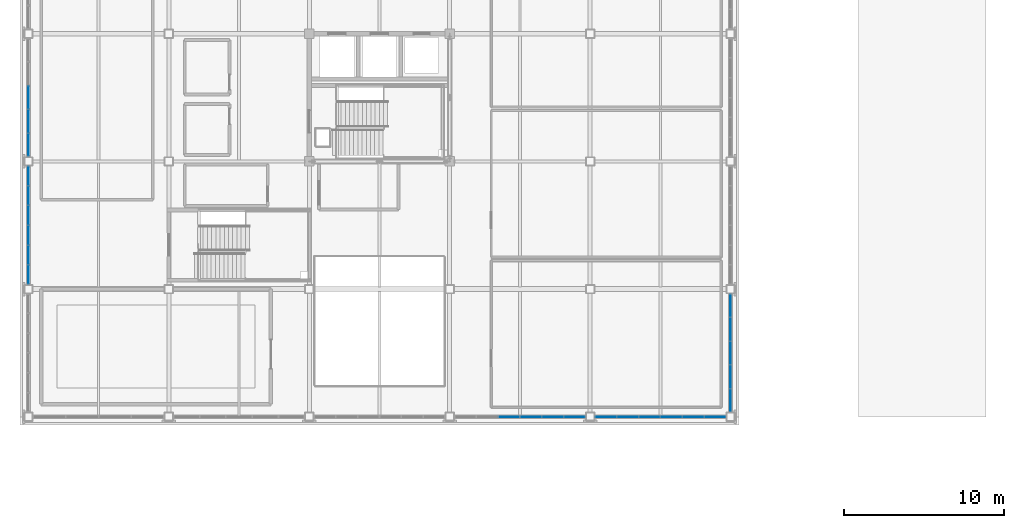
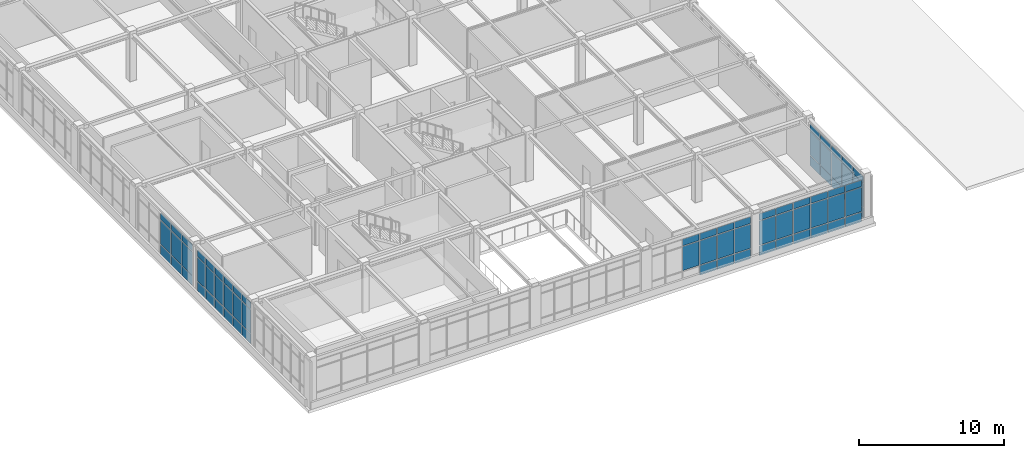
# One storey, part 39 of 88: 71 plates, 5 elements without a shape of their own.
"""IFC4 building model written with IfcOpenShell, lengths in metres."""

from ifc_helpers import new_model, si_unit, direction, frame, origin, origin_2d, place, context, subcontext, project, spatial, rectangle, extrude, material, layer, layer_set, type_object, element, aggregate, save


model = new_model("IFC4")

# Units and contexts
model_context = context("Model", 3, precision=1e-05, world=origin(), true_north=direction((0.0, 1.0)))
body_context = subcontext(model_context, "Body", "Model", "MODEL_VIEW")
ifc_project = project(units=[si_unit("LENGTHUNIT", "METRE"), si_unit("AREAUNIT", "SQUARE_METRE"), si_unit("VOLUMEUNIT", "CUBIC_METRE"), si_unit("PLANEANGLEUNIT", "RADIAN"), si_unit("MASSUNIT", "GRAM", prefix="KILO")], contexts=[model_context])

# Site, building, storey
site_placement = place(None, origin())
site = spatial("IfcSite", under=ifc_project, at=site_placement, CompositionType="ELEMENT")
building_placement = place(site_placement, origin())
building = spatial("IfcBuilding", under=site, at=building_placement, Name="Zhaolan Boulevard Law Courts", CompositionType="ELEMENT")
storey_placement = place(building_placement, frame((0.0, 0.0, 16.199951171875)))
storey = spatial("IfcBuildingStorey", under=building, at=storey_placement, Name="L03", CompositionType="ELEMENT", Elevation=16.199951171875)

# Curtain wall, plates
ifc_material_1 = material(Name="Thermally broken aluminium and low-E glazing", Category="aluminium")
curtain_wall_type_1 = type_object("IfcCurtainWallType", Name="CURTAIN WALL M3", PredefinedType="USERDEFINED", material=ifc_material_1)
curtain_wall_1_placement = place(storey_placement, origin())
curtain_wall_1 = element("IfcCurtainWall", 1, at=curtain_wall_1_placement, inside=storey, type_object=curtain_wall_type_1, Name="Curtain Wall CW-L03-171", ObjectType="CURTAIN WALL", PredefinedType="USERDEFINED")
ifc_material_2 = material(Name="Triple-silver low-E insulated glazing", Category="glass")
ifc_layer = layer(ifc_material_2, 0.028076171875)
ifc_layer_set = layer_set([ifc_layer])
plate_type = type_object("IfcPlateType", Name="CWPANEL LOW E28", PredefinedType="CURTAIN_PANEL", material=ifc_layer_set)
plate_1_placement = place(storey_placement, frame((30.11279296875, 30.0, 0.9326171875), z_axis=(0.0, 0.0, 1.0), x_axis=(1.0, 0.0, 0.0)))
plate_1 = element("IfcPlate", 2, at=plate_1_placement, type_object=plate_type, Name="CW-L03-171 panel 3.2", PredefinedType="CURTAIN_PANEL", context=body_context, shape_type="SweptSolid", body=[
    extrude(rectangle(XDim=1.309326171875, YDim=0.028076171875, at=origin_2d()), origin(), (0.0, 0.0, 1.0), 2.01806640625),
])
plate_2_placement = place(storey_placement, frame((30.11279296875, 30.0, 3.015625), z_axis=(0.0, 0.0, 1.0), x_axis=(1.0, 0.0, 0.0)))
plate_2 = element("IfcPlate", 3, at=plate_2_placement, type_object=plate_type, Name="CW-L03-171 panel 3.3", PredefinedType="CURTAIN_PANEL", context=body_context, shape_type="SweptSolid", body=[
    extrude(rectangle(XDim=1.309326171875, YDim=0.028076171875, at=origin_2d()), origin(), (0.0, 0.0, 1.0), 0.552490234375),
])
plate_3_placement = place(storey_placement, frame((31.487060546875, 30.0, 0.06494140625), z_axis=(0.0, 0.0, 1.0), x_axis=(1.0, 0.0, 0.0)))
plate_3 = element("IfcPlate", 4, at=plate_3_placement, type_object=plate_type, Name="CW-L03-171 panel 4.1", PredefinedType="CURTAIN_PANEL", context=body_context, shape_type="SweptSolid", body=[
    extrude(rectangle(XDim=1.309326171875, YDim=0.028076171875, at=origin_2d()), origin(), (0.0, 0.0, 1.0), 0.802490234375),
])
plate_4_placement = place(storey_placement, frame((31.487060546875, 30.0, 0.9326171875), z_axis=(0.0, 0.0, 1.0), x_axis=(1.0, 0.0, 0.0)))
plate_4 = element("IfcPlate", 5, at=plate_4_placement, type_object=plate_type, Name="CW-L03-171 panel 4.2", PredefinedType="CURTAIN_PANEL", context=body_context, shape_type="SweptSolid", body=[
    extrude(rectangle(XDim=1.309326171875, YDim=0.028076171875, at=origin_2d()), origin(), (0.0, 0.0, 1.0), 2.01806640625),
])
plate_5_placement = place(storey_placement, frame((31.487060546875, 30.0, 3.015625), z_axis=(0.0, 0.0, 1.0), x_axis=(1.0, 0.0, 0.0)))
plate_5 = element("IfcPlate", 6, at=plate_5_placement, type_object=plate_type, Name="CW-L03-171 panel 4.3", PredefinedType="CURTAIN_PANEL", context=body_context, shape_type="SweptSolid", body=[
    extrude(rectangle(XDim=1.309326171875, YDim=0.028076171875, at=origin_2d()), origin(), (0.0, 0.0, 1.0), 0.552490234375),
])
plate_6_placement = place(storey_placement, frame((32.861572265625, 30.0, 0.06494140625), z_axis=(0.0, 0.0, 1.0), x_axis=(1.0, 0.0, 0.0)))
plate_6 = element("IfcPlate", 7, at=plate_6_placement, type_object=plate_type, Name="CW-L03-171 panel 5.1", PredefinedType="CURTAIN_PANEL", context=body_context, shape_type="SweptSolid", body=[
    extrude(rectangle(XDim=1.309326171875, YDim=0.028076171875, at=origin_2d()), origin(), (0.0, 0.0, 1.0), 0.802490234375),
])
plate_7_placement = place(storey_placement, frame((32.861572265625, 30.0, 0.9326171875), z_axis=(0.0, 0.0, 1.0), x_axis=(1.0, 0.0, 0.0)))
plate_7 = element("IfcPlate", 8, at=plate_7_placement, type_object=plate_type, Name="CW-L03-171 panel 5.2", PredefinedType="CURTAIN_PANEL", context=body_context, shape_type="SweptSolid", body=[
    extrude(rectangle(XDim=1.309326171875, YDim=0.028076171875, at=origin_2d()), origin(), (0.0, 0.0, 1.0), 2.01806640625),
])
plate_8_placement = place(storey_placement, frame((32.861572265625, 30.0, 3.015625), z_axis=(0.0, 0.0, 1.0), x_axis=(1.0, 0.0, 0.0)))
plate_8 = element("IfcPlate", 9, at=plate_8_placement, type_object=plate_type, Name="CW-L03-171 panel 5.3", PredefinedType="CURTAIN_PANEL", context=body_context, shape_type="SweptSolid", body=[
    extrude(rectangle(XDim=1.309326171875, YDim=0.028076171875, at=origin_2d()), origin(), (0.0, 0.0, 1.0), 0.552490234375),
])
plate_9_placement = place(storey_placement, frame((34.219482421875, 30.0, 0.06494140625), z_axis=(0.0, 0.0, 1.0), x_axis=(1.0, 0.0, 0.0)))
plate_9 = element("IfcPlate", 10, at=plate_9_placement, type_object=plate_type, Name="CW-L03-171 panel 6.1", PredefinedType="CURTAIN_PANEL", context=body_context, shape_type="SweptSolid", body=[
    extrude(rectangle(XDim=1.27685546875, YDim=0.028076171875, at=origin_2d()), origin(), (0.0, 0.0, 1.0), 0.802490234375),
])
plate_10_placement = place(storey_placement, frame((34.219482421875, 30.0, 0.9326171875), z_axis=(0.0, 0.0, 1.0), x_axis=(1.0, 0.0, 0.0)))
plate_10 = element("IfcPlate", 11, at=plate_10_placement, type_object=plate_type, Name="CW-L03-171 panel 6.2", PredefinedType="CURTAIN_PANEL", context=body_context, shape_type="SweptSolid", body=[
    extrude(rectangle(XDim=1.27685546875, YDim=0.028076171875, at=origin_2d()), origin(), (0.0, 0.0, 1.0), 2.01806640625),
])
plate_11_placement = place(storey_placement, frame((34.219482421875, 30.0, 3.015625), z_axis=(0.0, 0.0, 1.0), x_axis=(1.0, 0.0, 0.0)))
plate_11 = element("IfcPlate", 12, at=plate_11_placement, type_object=plate_type, Name="CW-L03-171 panel 6.3", PredefinedType="CURTAIN_PANEL", context=body_context, shape_type="SweptSolid", body=[
    extrude(rectangle(XDim=1.27685546875, YDim=0.028076171875, at=origin_2d()), origin(), (0.0, 0.0, 1.0), 0.552490234375),
])
aggregate(curtain_wall_1, [plate_1, plate_2, plate_3, plate_4, plate_5, plate_6, plate_7, plate_8, plate_9, plate_10, plate_11])

ifc_material_3 = material(Name="Thermally broken aluminium and low-E glazing", Category="aluminium")
curtain_wall_type_2 = type_object("IfcCurtainWallType", Name="CURTAIN WALL M4", PredefinedType="USERDEFINED", material=ifc_material_3)
curtain_wall_2_placement = place(storey_placement, origin())
curtain_wall_2 = element("IfcCurtainWall", 13, at=curtain_wall_2_placement, inside=storey, type_object=curtain_wall_type_2, Name="Curtain Wall CW-L03-172", ObjectType="CURTAIN WALL", PredefinedType="USERDEFINED")
plate_12_placement = place(storey_placement, frame((36.180419921875, 30.0, 0.06494140625), z_axis=(0.0, 0.0, 1.0), x_axis=(1.0, 0.0, 0.0)))
plate_12 = element("IfcPlate", 14, at=plate_12_placement, type_object=plate_type, Name="CW-L03-172 panel 1.1", PredefinedType="CURTAIN_PANEL", context=body_context, shape_type="SweptSolid", body=[
    extrude(rectangle(XDim=1.27685546875, YDim=0.028076171875, at=origin_2d()), origin(), (0.0, 0.0, 1.0), 0.802490234375),
])
plate_13_placement = place(storey_placement, frame((36.180419921875, 30.0, 0.9326171875), z_axis=(0.0, 0.0, 1.0), x_axis=(1.0, 0.0, 0.0)))
plate_13 = element("IfcPlate", 15, at=plate_13_placement, type_object=plate_type, Name="CW-L03-172 panel 1.2", PredefinedType="CURTAIN_PANEL", context=body_context, shape_type="SweptSolid", body=[
    extrude(rectangle(XDim=1.27685546875, YDim=0.028076171875, at=origin_2d()), origin(), (0.0, 0.0, 1.0), 2.01806640625),
])
plate_14_placement = place(storey_placement, frame((36.180419921875, 30.0, 3.015625), z_axis=(0.0, 0.0, 1.0), x_axis=(1.0, 0.0, 0.0)))
plate_14 = element("IfcPlate", 16, at=plate_14_placement, type_object=plate_type, Name="CW-L03-172 panel 1.3", PredefinedType="CURTAIN_PANEL", context=body_context, shape_type="SweptSolid", body=[
    extrude(rectangle(XDim=1.27685546875, YDim=0.028076171875, at=origin_2d()), origin(), (0.0, 0.0, 1.0), 0.552490234375),
])
plate_15_placement = place(storey_placement, frame((37.53857421875, 30.0, 0.06494140625), z_axis=(0.0, 0.0, 1.0), x_axis=(1.0, 0.0, 0.0)))
plate_15 = element("IfcPlate", 17, at=plate_15_placement, type_object=plate_type, Name="CW-L03-172 panel 2.1", PredefinedType="CURTAIN_PANEL", context=body_context, shape_type="SweptSolid", body=[
    extrude(rectangle(XDim=1.309326171875, YDim=0.028076171875, at=origin_2d()), origin(), (0.0, 0.0, 1.0), 0.802490234375),
])
plate_16_placement = place(storey_placement, frame((37.53857421875, 30.0, 0.9326171875), z_axis=(0.0, 0.0, 1.0), x_axis=(1.0, 0.0, 0.0)))
plate_16 = element("IfcPlate", 18, at=plate_16_placement, type_object=plate_type, Name="CW-L03-172 panel 2.2", PredefinedType="CURTAIN_PANEL", context=body_context, shape_type="SweptSolid", body=[
    extrude(rectangle(XDim=1.309326171875, YDim=0.028076171875, at=origin_2d()), origin(), (0.0, 0.0, 1.0), 2.01806640625),
])
plate_17_placement = place(storey_placement, frame((37.53857421875, 30.0, 3.015625), z_axis=(0.0, 0.0, 1.0), x_axis=(1.0, 0.0, 0.0)))
plate_17 = element("IfcPlate", 19, at=plate_17_placement, type_object=plate_type, Name="CW-L03-172 panel 2.3", PredefinedType="CURTAIN_PANEL", context=body_context, shape_type="SweptSolid", body=[
    extrude(rectangle(XDim=1.309326171875, YDim=0.028076171875, at=origin_2d()), origin(), (0.0, 0.0, 1.0), 0.552490234375),
])
plate_18_placement = place(storey_placement, frame((38.912841796875, 30.0, 0.06494140625), z_axis=(0.0, 0.0, 1.0), x_axis=(1.0, 0.0, 0.0)))
plate_18 = element("IfcPlate", 20, at=plate_18_placement, type_object=plate_type, Name="CW-L03-172 panel 3.1", PredefinedType="CURTAIN_PANEL", context=body_context, shape_type="SweptSolid", body=[
    extrude(rectangle(XDim=1.309326171875, YDim=0.028076171875, at=origin_2d()), origin(), (0.0, 0.0, 1.0), 0.802490234375),
])
plate_19_placement = place(storey_placement, frame((38.912841796875, 30.0, 0.9326171875), z_axis=(0.0, 0.0, 1.0), x_axis=(1.0, 0.0, 0.0)))
plate_19 = element("IfcPlate", 21, at=plate_19_placement, type_object=plate_type, Name="CW-L03-172 panel 3.2", PredefinedType="CURTAIN_PANEL", context=body_context, shape_type="SweptSolid", body=[
    extrude(rectangle(XDim=1.309326171875, YDim=0.028076171875, at=origin_2d()), origin(), (0.0, 0.0, 1.0), 2.01806640625),
])
plate_20_placement = place(storey_placement, frame((38.912841796875, 30.0, 3.015625), z_axis=(0.0, 0.0, 1.0), x_axis=(1.0, 0.0, 0.0)))
plate_20 = element("IfcPlate", 22, at=plate_20_placement, type_object=plate_type, Name="CW-L03-172 panel 3.3", PredefinedType="CURTAIN_PANEL", context=body_context, shape_type="SweptSolid", body=[
    extrude(rectangle(XDim=1.309326171875, YDim=0.028076171875, at=origin_2d()), origin(), (0.0, 0.0, 1.0), 0.552490234375),
])
plate_21_placement = place(storey_placement, frame((40.287109375, 30.0, 0.06494140625), z_axis=(0.0, 0.0, 1.0), x_axis=(1.0, 0.0, 0.0)))
plate_21 = element("IfcPlate", 23, at=plate_21_placement, type_object=plate_type, Name="CW-L03-172 panel 4.1", PredefinedType="CURTAIN_PANEL", context=body_context, shape_type="SweptSolid", body=[
    extrude(rectangle(XDim=1.309326171875, YDim=0.028076171875, at=origin_2d()), origin(), (0.0, 0.0, 1.0), 0.802490234375),
])
plate_22_placement = place(storey_placement, frame((40.287109375, 30.0, 0.9326171875), z_axis=(0.0, 0.0, 1.0), x_axis=(1.0, 0.0, 0.0)))
plate_22 = element("IfcPlate", 24, at=plate_22_placement, type_object=plate_type, Name="CW-L03-172 panel 4.2", PredefinedType="CURTAIN_PANEL", context=body_context, shape_type="SweptSolid", body=[
    extrude(rectangle(XDim=1.309326171875, YDim=0.028076171875, at=origin_2d()), origin(), (0.0, 0.0, 1.0), 2.01806640625),
])
plate_23_placement = place(storey_placement, frame((40.287109375, 30.0, 3.015625), z_axis=(0.0, 0.0, 1.0), x_axis=(1.0, 0.0, 0.0)))
plate_23 = element("IfcPlate", 25, at=plate_23_placement, type_object=plate_type, Name="CW-L03-172 panel 4.3", PredefinedType="CURTAIN_PANEL", context=body_context, shape_type="SweptSolid", body=[
    extrude(rectangle(XDim=1.309326171875, YDim=0.028076171875, at=origin_2d()), origin(), (0.0, 0.0, 1.0), 0.552490234375),
])
plate_24_placement = place(storey_placement, frame((41.66162109375, 30.0, 0.06494140625), z_axis=(0.0, 0.0, 1.0), x_axis=(1.0, 0.0, 0.0)))
plate_24 = element("IfcPlate", 26, at=plate_24_placement, type_object=plate_type, Name="CW-L03-172 panel 5.1", PredefinedType="CURTAIN_PANEL", context=body_context, shape_type="SweptSolid", body=[
    extrude(rectangle(XDim=1.309326171875, YDim=0.028076171875, at=origin_2d()), origin(), (0.0, 0.0, 1.0), 0.802490234375),
])
plate_25_placement = place(storey_placement, frame((41.66162109375, 30.0, 0.9326171875), z_axis=(0.0, 0.0, 1.0), x_axis=(1.0, 0.0, 0.0)))
plate_25 = element("IfcPlate", 27, at=plate_25_placement, type_object=plate_type, Name="CW-L03-172 panel 5.2", PredefinedType="CURTAIN_PANEL", context=body_context, shape_type="SweptSolid", body=[
    extrude(rectangle(XDim=1.309326171875, YDim=0.028076171875, at=origin_2d()), origin(), (0.0, 0.0, 1.0), 2.01806640625),
])
plate_26_placement = place(storey_placement, frame((41.66162109375, 30.0, 3.015625), z_axis=(0.0, 0.0, 1.0), x_axis=(1.0, 0.0, 0.0)))
plate_26 = element("IfcPlate", 28, at=plate_26_placement, type_object=plate_type, Name="CW-L03-172 panel 5.3", PredefinedType="CURTAIN_PANEL", context=body_context, shape_type="SweptSolid", body=[
    extrude(rectangle(XDim=1.309326171875, YDim=0.028076171875, at=origin_2d()), origin(), (0.0, 0.0, 1.0), 0.552490234375),
])
plate_27_placement = place(storey_placement, frame((43.01953125, 30.0, 0.06494140625), z_axis=(0.0, 0.0, 1.0), x_axis=(1.0, 0.0, 0.0)))
plate_27 = element("IfcPlate", 29, at=plate_27_placement, type_object=plate_type, Name="CW-L03-172 panel 6.1", PredefinedType="CURTAIN_PANEL", context=body_context, shape_type="SweptSolid", body=[
    extrude(rectangle(XDim=1.27685546875, YDim=0.028076171875, at=origin_2d()), origin(), (0.0, 0.0, 1.0), 0.802490234375),
])
plate_28_placement = place(storey_placement, frame((43.01953125, 30.0, 0.9326171875), z_axis=(0.0, 0.0, 1.0), x_axis=(1.0, 0.0, 0.0)))
plate_28 = element("IfcPlate", 30, at=plate_28_placement, type_object=plate_type, Name="CW-L03-172 panel 6.2", PredefinedType="CURTAIN_PANEL", context=body_context, shape_type="SweptSolid", body=[
    extrude(rectangle(XDim=1.27685546875, YDim=0.028076171875, at=origin_2d()), origin(), (0.0, 0.0, 1.0), 2.01806640625),
])
plate_29_placement = place(storey_placement, frame((43.01953125, 30.0, 3.015625), z_axis=(0.0, 0.0, 1.0), x_axis=(1.0, 0.0, 0.0)))
plate_29 = element("IfcPlate", 31, at=plate_29_placement, type_object=plate_type, Name="CW-L03-172 panel 6.3", PredefinedType="CURTAIN_PANEL", context=body_context, shape_type="SweptSolid", body=[
    extrude(rectangle(XDim=1.27685546875, YDim=0.028076171875, at=origin_2d()), origin(), (0.0, 0.0, 1.0), 0.552490234375),
])
aggregate(curtain_wall_2, [plate_12, plate_13, plate_14, plate_15, plate_16, plate_17, plate_18, plate_19, plate_20, plate_21, plate_22, plate_23, plate_24, plate_25, plate_26, plate_27, plate_28, plate_29])

ifc_material_4 = material(Name="Thermally broken aluminium and low-E glazing", Category="aluminium")
curtain_wall_type_3 = type_object("IfcCurtainWallType", Name="CURTAIN WALL M6", PredefinedType="USERDEFINED", material=ifc_material_4)
curtain_wall_3_placement = place(storey_placement, origin())
curtain_wall_3 = element("IfcCurtainWall", 32, at=curtain_wall_3_placement, inside=storey, type_object=curtain_wall_type_3, Name="Curtain Wall CW-L03-174", ObjectType="CURTAIN WALL", PredefinedType="USERDEFINED")
plate_30_placement = place(storey_placement, frame((0.0, 45.086181640625, 0.06494140625), z_axis=(0.0, 0.0, 1.0), x_axis=(0.0, -1.0, 0.0)))
plate_30 = element("IfcPlate", 33, at=plate_30_placement, type_object=plate_type, Name="CW-L03-174 panel 1.1", PredefinedType="CURTAIN_PANEL", context=body_context, shape_type="SweptSolid", body=[
    extrude(rectangle(XDim=1.1435546875, YDim=0.028076171875, at=origin_2d()), origin(), (0.0, 0.0, 1.0), 0.802490234375),
])
plate_31_placement = place(storey_placement, frame((0.0, 45.086181640625, 0.9326171875), z_axis=(0.0, 0.0, 1.0), x_axis=(0.0, -1.0, 0.0)))
plate_31 = element("IfcPlate", 34, at=plate_31_placement, type_object=plate_type, Name="CW-L03-174 panel 1.2", PredefinedType="CURTAIN_PANEL", context=body_context, shape_type="SweptSolid", body=[
    extrude(rectangle(XDim=1.1435546875, YDim=0.028076171875, at=origin_2d()), origin(), (0.0, 0.0, 1.0), 1.97802734375),
])
plate_32_placement = place(storey_placement, frame((0.0, 45.086181640625, 2.9755859375), z_axis=(0.0, 0.0, 1.0), x_axis=(0.0, -1.0, 0.0)))
plate_32 = element("IfcPlate", 35, at=plate_32_placement, type_object=plate_type, Name="CW-L03-174 panel 1.3", PredefinedType="CURTAIN_PANEL", context=body_context, shape_type="SweptSolid", body=[
    extrude(rectangle(XDim=1.1435546875, YDim=0.028076171875, at=origin_2d()), origin(), (0.0, 0.0, 1.0), 0.552490234375),
])
plate_33_placement = place(storey_placement, frame((0.0, 43.861572265625, 0.06494140625), z_axis=(0.0, 0.0, 1.0), x_axis=(0.0, -1.0, 0.0)))
plate_33 = element("IfcPlate", 36, at=plate_33_placement, type_object=plate_type, Name="CW-L03-174 panel 2.1", PredefinedType="CURTAIN_PANEL", context=body_context, shape_type="SweptSolid", body=[
    extrude(rectangle(XDim=1.176025390625, YDim=0.028076171875, at=origin_2d()), origin(), (0.0, 0.0, 1.0), 0.802490234375),
])
plate_34_placement = place(storey_placement, frame((0.0, 43.861572265625, 0.9326171875), z_axis=(0.0, 0.0, 1.0), x_axis=(0.0, -1.0, 0.0)))
plate_34 = element("IfcPlate", 37, at=plate_34_placement, type_object=plate_type, Name="CW-L03-174 panel 2.2", PredefinedType="CURTAIN_PANEL", context=body_context, shape_type="SweptSolid", body=[
    extrude(rectangle(XDim=1.176025390625, YDim=0.028076171875, at=origin_2d()), origin(), (0.0, 0.0, 1.0), 1.97802734375),
])
plate_35_placement = place(storey_placement, frame((0.0, 43.861572265625, 2.9755859375), z_axis=(0.0, 0.0, 1.0), x_axis=(0.0, -1.0, 0.0)))
plate_35 = element("IfcPlate", 38, at=plate_35_placement, type_object=plate_type, Name="CW-L03-174 panel 2.3", PredefinedType="CURTAIN_PANEL", context=body_context, shape_type="SweptSolid", body=[
    extrude(rectangle(XDim=1.176025390625, YDim=0.028076171875, at=origin_2d()), origin(), (0.0, 0.0, 1.0), 0.552490234375),
])
plate_36_placement = place(storey_placement, frame((0.0, 42.62060546875, 0.06494140625), z_axis=(0.0, 0.0, 1.0), x_axis=(0.0, -1.0, 0.0)))
plate_36 = element("IfcPlate", 39, at=plate_36_placement, type_object=plate_type, Name="CW-L03-174 panel 3.1", PredefinedType="CURTAIN_PANEL", context=body_context, shape_type="SweptSolid", body=[
    extrude(rectangle(XDim=1.176025390625, YDim=0.028076171875, at=origin_2d()), origin(), (0.0, 0.0, 1.0), 0.802490234375),
])
plate_37_placement = place(storey_placement, frame((0.0, 42.62060546875, 0.9326171875), z_axis=(0.0, 0.0, 1.0), x_axis=(0.0, -1.0, 0.0)))
plate_37 = element("IfcPlate", 40, at=plate_37_placement, type_object=plate_type, Name="CW-L03-174 panel 3.2", PredefinedType="CURTAIN_PANEL", context=body_context, shape_type="SweptSolid", body=[
    extrude(rectangle(XDim=1.176025390625, YDim=0.028076171875, at=origin_2d()), origin(), (0.0, 0.0, 1.0), 1.97802734375),
])
plate_38_placement = place(storey_placement, frame((0.0, 42.62060546875, 2.9755859375), z_axis=(0.0, 0.0, 1.0), x_axis=(0.0, -1.0, 0.0)))
plate_38 = element("IfcPlate", 41, at=plate_38_placement, type_object=plate_type, Name="CW-L03-174 panel 3.3", PredefinedType="CURTAIN_PANEL", context=body_context, shape_type="SweptSolid", body=[
    extrude(rectangle(XDim=1.176025390625, YDim=0.028076171875, at=origin_2d()), origin(), (0.0, 0.0, 1.0), 0.552490234375),
])
plate_39_placement = place(storey_placement, frame((0.0, 41.37939453125, 0.06494140625), z_axis=(0.0, 0.0, 1.0), x_axis=(0.0, -1.0, 0.0)))
plate_39 = element("IfcPlate", 42, at=plate_39_placement, type_object=plate_type, Name="CW-L03-174 panel 4.1", PredefinedType="CURTAIN_PANEL", context=body_context, shape_type="SweptSolid", body=[
    extrude(rectangle(XDim=1.176025390625, YDim=0.028076171875, at=origin_2d()), origin(), (0.0, 0.0, 1.0), 0.802490234375),
])
plate_40_placement = place(storey_placement, frame((0.0, 41.37939453125, 0.9326171875), z_axis=(0.0, 0.0, 1.0), x_axis=(0.0, -1.0, 0.0)))
plate_40 = element("IfcPlate", 43, at=plate_40_placement, type_object=plate_type, Name="CW-L03-174 panel 4.2", PredefinedType="CURTAIN_PANEL", context=body_context, shape_type="SweptSolid", body=[
    extrude(rectangle(XDim=1.176025390625, YDim=0.028076171875, at=origin_2d()), origin(), (0.0, 0.0, 1.0), 1.97802734375),
])
plate_41_placement = place(storey_placement, frame((0.0, 41.37939453125, 2.9755859375), z_axis=(0.0, 0.0, 1.0), x_axis=(0.0, -1.0, 0.0)))
plate_41 = element("IfcPlate", 44, at=plate_41_placement, type_object=plate_type, Name="CW-L03-174 panel 4.3", PredefinedType="CURTAIN_PANEL", context=body_context, shape_type="SweptSolid", body=[
    extrude(rectangle(XDim=1.176025390625, YDim=0.028076171875, at=origin_2d()), origin(), (0.0, 0.0, 1.0), 0.552490234375),
])
plate_42_placement = place(storey_placement, frame((0.0, 40.138427734375, 0.06494140625), z_axis=(0.0, 0.0, 1.0), x_axis=(0.0, -1.0, 0.0)))
plate_42 = element("IfcPlate", 45, at=plate_42_placement, type_object=plate_type, Name="CW-L03-174 panel 5.1", PredefinedType="CURTAIN_PANEL", context=body_context, shape_type="SweptSolid", body=[
    extrude(rectangle(XDim=1.176025390625, YDim=0.028076171875, at=origin_2d()), origin(), (0.0, 0.0, 1.0), 0.802490234375),
])
plate_43_placement = place(storey_placement, frame((0.0, 40.138427734375, 0.9326171875), z_axis=(0.0, 0.0, 1.0), x_axis=(0.0, -1.0, 0.0)))
plate_43 = element("IfcPlate", 46, at=plate_43_placement, type_object=plate_type, Name="CW-L03-174 panel 5.2", PredefinedType="CURTAIN_PANEL", context=body_context, shape_type="SweptSolid", body=[
    extrude(rectangle(XDim=1.176025390625, YDim=0.028076171875, at=origin_2d()), origin(), (0.0, 0.0, 1.0), 1.97802734375),
])
plate_44_placement = place(storey_placement, frame((0.0, 40.138427734375, 2.9755859375), z_axis=(0.0, 0.0, 1.0), x_axis=(0.0, -1.0, 0.0)))
plate_44 = element("IfcPlate", 47, at=plate_44_placement, type_object=plate_type, Name="CW-L03-174 panel 5.3", PredefinedType="CURTAIN_PANEL", context=body_context, shape_type="SweptSolid", body=[
    extrude(rectangle(XDim=1.176025390625, YDim=0.028076171875, at=origin_2d()), origin(), (0.0, 0.0, 1.0), 0.552490234375),
])
plate_45_placement = place(storey_placement, frame((0.0, 38.913818359375, 0.06494140625), z_axis=(0.0, 0.0, 1.0), x_axis=(0.0, -1.0, 0.0)))
plate_45 = element("IfcPlate", 48, at=plate_45_placement, type_object=plate_type, Name="CW-L03-174 panel 6.1", PredefinedType="CURTAIN_PANEL", context=body_context, shape_type="SweptSolid", body=[
    extrude(rectangle(XDim=1.1435546875, YDim=0.028076171875, at=origin_2d()), origin(), (0.0, 0.0, 1.0), 0.802490234375),
])
plate_46_placement = place(storey_placement, frame((0.0, 38.913818359375, 0.9326171875), z_axis=(0.0, 0.0, 1.0), x_axis=(0.0, -1.0, 0.0)))
plate_46 = element("IfcPlate", 49, at=plate_46_placement, type_object=plate_type, Name="CW-L03-174 panel 6.2", PredefinedType="CURTAIN_PANEL", context=body_context, shape_type="SweptSolid", body=[
    extrude(rectangle(XDim=1.1435546875, YDim=0.028076171875, at=origin_2d()), origin(), (0.0, 0.0, 1.0), 1.97802734375),
])
plate_47_placement = place(storey_placement, frame((0.0, 38.913818359375, 2.9755859375), z_axis=(0.0, 0.0, 1.0), x_axis=(0.0, -1.0, 0.0)))
plate_47 = element("IfcPlate", 50, at=plate_47_placement, type_object=plate_type, Name="CW-L03-174 panel 6.3", PredefinedType="CURTAIN_PANEL", context=body_context, shape_type="SweptSolid", body=[
    extrude(rectangle(XDim=1.1435546875, YDim=0.028076171875, at=origin_2d()), origin(), (0.0, 0.0, 1.0), 0.552490234375),
])
aggregate(curtain_wall_3, [plate_30, plate_31, plate_32, plate_33, plate_34, plate_35, plate_36, plate_37, plate_38, plate_39, plate_40, plate_41, plate_42, plate_43, plate_44, plate_45, plate_46, plate_47])

ifc_material_5 = material(Name="Thermally broken aluminium and low-E glazing", Category="aluminium")
curtain_wall_type_4 = type_object("IfcCurtainWallType", Name="CURTAIN WALL M7", PredefinedType="USERDEFINED", material=ifc_material_5)
curtain_wall_4_placement = place(storey_placement, origin())
curtain_wall_4 = element("IfcCurtainWall", 51, at=curtain_wall_4_placement, inside=storey, type_object=curtain_wall_type_4, Name="Curtain Wall CW-L03-175", ObjectType="CURTAIN WALL", PredefinedType="USERDEFINED")
plate_48_placement = place(storey_placement, frame((0.0, 50.0, 0.06494140625), z_axis=(0.0, 0.0, 1.0), x_axis=(0.0, -1.0, 0.0)))
plate_48 = element("IfcPlate", 52, at=plate_48_placement, type_object=plate_type, Name="CW-L03-175 panel 3.1", PredefinedType="CURTAIN_PANEL", context=body_context, shape_type="SweptSolid", body=[
    extrude(rectangle(XDim=1.42431640625, YDim=0.028076171875, at=origin_2d()), origin(), (0.0, 0.0, 1.0), 0.802490234375),
])
plate_49_placement = place(storey_placement, frame((0.0, 50.0, 0.9326171875), z_axis=(0.0, 0.0, 1.0), x_axis=(0.0, -1.0, 0.0)))
plate_49 = element("IfcPlate", 53, at=plate_49_placement, type_object=plate_type, Name="CW-L03-175 panel 3.2", PredefinedType="CURTAIN_PANEL", context=body_context, shape_type="SweptSolid", body=[
    extrude(rectangle(XDim=1.42431640625, YDim=0.028076171875, at=origin_2d()), origin(), (0.0, 0.0, 1.0), 1.97802734375),
])
plate_50_placement = place(storey_placement, frame((0.0, 50.0, 2.9755859375), z_axis=(0.0, 0.0, 1.0), x_axis=(0.0, -1.0, 0.0)))
plate_50 = element("IfcPlate", 54, at=plate_50_placement, type_object=plate_type, Name="CW-L03-175 panel 3.3", PredefinedType="CURTAIN_PANEL", context=body_context, shape_type="SweptSolid", body=[
    extrude(rectangle(XDim=1.42431640625, YDim=0.028076171875, at=origin_2d()), origin(), (0.0, 0.0, 1.0), 0.552490234375),
])
plate_51_placement = place(storey_placement, frame((0.0, 48.5107421875, 0.06494140625), z_axis=(0.0, 0.0, 1.0), x_axis=(0.0, -1.0, 0.0)))
plate_51 = element("IfcPlate", 55, at=plate_51_placement, type_object=plate_type, Name="CW-L03-175 panel 4.1", PredefinedType="CURTAIN_PANEL", context=body_context, shape_type="SweptSolid", body=[
    extrude(rectangle(XDim=1.42431640625, YDim=0.028076171875, at=origin_2d()), origin(), (0.0, 0.0, 1.0), 0.802490234375),
])
plate_52_placement = place(storey_placement, frame((0.0, 48.5107421875, 0.9326171875), z_axis=(0.0, 0.0, 1.0), x_axis=(0.0, -1.0, 0.0)))
plate_52 = element("IfcPlate", 56, at=plate_52_placement, type_object=plate_type, Name="CW-L03-175 panel 4.2", PredefinedType="CURTAIN_PANEL", context=body_context, shape_type="SweptSolid", body=[
    extrude(rectangle(XDim=1.42431640625, YDim=0.028076171875, at=origin_2d()), origin(), (0.0, 0.0, 1.0), 1.97802734375),
])
plate_53_placement = place(storey_placement, frame((0.0, 48.5107421875, 2.9755859375), z_axis=(0.0, 0.0, 1.0), x_axis=(0.0, -1.0, 0.0)))
plate_53 = element("IfcPlate", 57, at=plate_53_placement, type_object=plate_type, Name="CW-L03-175 panel 4.3", PredefinedType="CURTAIN_PANEL", context=body_context, shape_type="SweptSolid", body=[
    extrude(rectangle(XDim=1.42431640625, YDim=0.028076171875, at=origin_2d()), origin(), (0.0, 0.0, 1.0), 0.552490234375),
])
plate_54_placement = place(storey_placement, frame((0.0, 47.037841796875, 0.06494140625), z_axis=(0.0, 0.0, 1.0), x_axis=(0.0, -1.0, 0.0)))
plate_54 = element("IfcPlate", 58, at=plate_54_placement, type_object=plate_type, Name="CW-L03-175 panel 5.1", PredefinedType="CURTAIN_PANEL", context=body_context, shape_type="SweptSolid", body=[
    extrude(rectangle(XDim=1.3916015625, YDim=0.028076171875, at=origin_2d()), origin(), (0.0, 0.0, 1.0), 0.802490234375),
])
plate_55_placement = place(storey_placement, frame((0.0, 47.037841796875, 0.9326171875), z_axis=(0.0, 0.0, 1.0), x_axis=(0.0, -1.0, 0.0)))
plate_55 = element("IfcPlate", 59, at=plate_55_placement, type_object=plate_type, Name="CW-L03-175 panel 5.2", PredefinedType="CURTAIN_PANEL", context=body_context, shape_type="SweptSolid", body=[
    extrude(rectangle(XDim=1.3916015625, YDim=0.028076171875, at=origin_2d()), origin(), (0.0, 0.0, 1.0), 1.97802734375),
])
plate_56_placement = place(storey_placement, frame((0.0, 47.037841796875, 2.9755859375), z_axis=(0.0, 0.0, 1.0), x_axis=(0.0, -1.0, 0.0)))
plate_56 = element("IfcPlate", 60, at=plate_56_placement, type_object=plate_type, Name="CW-L03-175 panel 5.3", PredefinedType="CURTAIN_PANEL", context=body_context, shape_type="SweptSolid", body=[
    extrude(rectangle(XDim=1.3916015625, YDim=0.028076171875, at=origin_2d()), origin(), (0.0, 0.0, 1.0), 0.552490234375),
])
aggregate(curtain_wall_4, [plate_48, plate_49, plate_50, plate_51, plate_52, plate_53, plate_54, plate_55, plate_56])

ifc_material_6 = material(Name="Thermally broken aluminium and low-E glazing", Category="aluminium")
curtain_wall_type_5 = type_object("IfcCurtainWallType", Name="CURTAIN WALL M11", PredefinedType="USERDEFINED", material=ifc_material_6)
curtain_wall_5_placement = place(storey_placement, origin())
curtain_wall_5 = element("IfcCurtainWall", 61, at=curtain_wall_5_placement, inside=storey, type_object=curtain_wall_type_5, Name="Curtain Wall CW-L03-179", ObjectType="CURTAIN WALL", PredefinedType="USERDEFINED")
plate_57_placement = place(storey_placement, frame((44.0, 31.037841796875, 0.06494140625), z_axis=(0.0, 0.0, 1.0), x_axis=(0.0, 1.0, 0.0)))
plate_57 = element("IfcPlate", 62, at=plate_57_placement, type_object=plate_type, Name="CW-L03-179 panel 1.1", PredefinedType="CURTAIN_PANEL", context=body_context, shape_type="SweptSolid", body=[
    extrude(rectangle(XDim=1.3916015625, YDim=0.028076171875, at=origin_2d()), origin(), (0.0, 0.0, 1.0), 0.802490234375),
])
plate_58_placement = place(storey_placement, frame((44.0, 31.037841796875, 0.9326171875), z_axis=(0.0, 0.0, 1.0), x_axis=(0.0, 1.0, 0.0)))
plate_58 = element("IfcPlate", 63, at=plate_58_placement, type_object=plate_type, Name="CW-L03-179 panel 1.2", PredefinedType="CURTAIN_PANEL", context=body_context, shape_type="SweptSolid", body=[
    extrude(rectangle(XDim=1.3916015625, YDim=0.028076171875, at=origin_2d()), origin(), (0.0, 0.0, 1.0), 1.97802734375),
])
plate_59_placement = place(storey_placement, frame((44.0, 31.037841796875, 2.9755859375), z_axis=(0.0, 0.0, 1.0), x_axis=(0.0, 1.0, 0.0)))
plate_59 = element("IfcPlate", 64, at=plate_59_placement, type_object=plate_type, Name="CW-L03-179 panel 1.3", PredefinedType="CURTAIN_PANEL", context=body_context, shape_type="SweptSolid", body=[
    extrude(rectangle(XDim=1.3916015625, YDim=0.028076171875, at=origin_2d()), origin(), (0.0, 0.0, 1.0), 0.552490234375),
])
plate_60_placement = place(storey_placement, frame((44.0, 32.5107421875, 0.06494140625), z_axis=(0.0, 0.0, 1.0), x_axis=(0.0, 1.0, 0.0)))
plate_60 = element("IfcPlate", 65, at=plate_60_placement, type_object=plate_type, Name="CW-L03-179 panel 2.1", PredefinedType="CURTAIN_PANEL", context=body_context, shape_type="SweptSolid", body=[
    extrude(rectangle(XDim=1.42431640625, YDim=0.028076171875, at=origin_2d()), origin(), (0.0, 0.0, 1.0), 0.802490234375),
])
plate_61_placement = place(storey_placement, frame((44.0, 32.5107421875, 0.9326171875), z_axis=(0.0, 0.0, 1.0), x_axis=(0.0, 1.0, 0.0)))
plate_61 = element("IfcPlate", 66, at=plate_61_placement, type_object=plate_type, Name="CW-L03-179 panel 2.2", PredefinedType="CURTAIN_PANEL", context=body_context, shape_type="SweptSolid", body=[
    extrude(rectangle(XDim=1.42431640625, YDim=0.028076171875, at=origin_2d()), origin(), (0.0, 0.0, 1.0), 1.97802734375),
])
plate_62_placement = place(storey_placement, frame((44.0, 32.5107421875, 2.9755859375), z_axis=(0.0, 0.0, 1.0), x_axis=(0.0, 1.0, 0.0)))
plate_62 = element("IfcPlate", 67, at=plate_62_placement, type_object=plate_type, Name="CW-L03-179 panel 2.3", PredefinedType="CURTAIN_PANEL", context=body_context, shape_type="SweptSolid", body=[
    extrude(rectangle(XDim=1.42431640625, YDim=0.028076171875, at=origin_2d()), origin(), (0.0, 0.0, 1.0), 0.552490234375),
])
plate_63_placement = place(storey_placement, frame((44.0, 34.0, 0.06494140625), z_axis=(0.0, 0.0, 1.0), x_axis=(0.0, 1.0, 0.0)))
plate_63 = element("IfcPlate", 68, at=plate_63_placement, type_object=plate_type, Name="CW-L03-179 panel 3.1", PredefinedType="CURTAIN_PANEL", context=body_context, shape_type="SweptSolid", body=[
    extrude(rectangle(XDim=1.42431640625, YDim=0.028076171875, at=origin_2d()), origin(), (0.0, 0.0, 1.0), 0.802490234375),
])
plate_64_placement = place(storey_placement, frame((44.0, 34.0, 0.9326171875), z_axis=(0.0, 0.0, 1.0), x_axis=(0.0, 1.0, 0.0)))
plate_64 = element("IfcPlate", 69, at=plate_64_placement, type_object=plate_type, Name="CW-L03-179 panel 3.2", PredefinedType="CURTAIN_PANEL", context=body_context, shape_type="SweptSolid", body=[
    extrude(rectangle(XDim=1.42431640625, YDim=0.028076171875, at=origin_2d()), origin(), (0.0, 0.0, 1.0), 1.97802734375),
])
plate_65_placement = place(storey_placement, frame((44.0, 34.0, 2.9755859375), z_axis=(0.0, 0.0, 1.0), x_axis=(0.0, 1.0, 0.0)))
plate_65 = element("IfcPlate", 70, at=plate_65_placement, type_object=plate_type, Name="CW-L03-179 panel 3.3", PredefinedType="CURTAIN_PANEL", context=body_context, shape_type="SweptSolid", body=[
    extrude(rectangle(XDim=1.42431640625, YDim=0.028076171875, at=origin_2d()), origin(), (0.0, 0.0, 1.0), 0.552490234375),
])
plate_66_placement = place(storey_placement, frame((44.0, 35.4892578125, 0.06494140625), z_axis=(0.0, 0.0, 1.0), x_axis=(0.0, 1.0, 0.0)))
plate_66 = element("IfcPlate", 71, at=plate_66_placement, type_object=plate_type, Name="CW-L03-179 panel 4.1", PredefinedType="CURTAIN_PANEL", context=body_context, shape_type="SweptSolid", body=[
    extrude(rectangle(XDim=1.42431640625, YDim=0.028076171875, at=origin_2d()), origin(), (0.0, 0.0, 1.0), 0.802490234375),
])
plate_67_placement = place(storey_placement, frame((44.0, 35.4892578125, 0.9326171875), z_axis=(0.0, 0.0, 1.0), x_axis=(0.0, 1.0, 0.0)))
plate_67 = element("IfcPlate", 72, at=plate_67_placement, type_object=plate_type, Name="CW-L03-179 panel 4.2", PredefinedType="CURTAIN_PANEL", context=body_context, shape_type="SweptSolid", body=[
    extrude(rectangle(XDim=1.42431640625, YDim=0.028076171875, at=origin_2d()), origin(), (0.0, 0.0, 1.0), 1.97802734375),
])
plate_68_placement = place(storey_placement, frame((44.0, 35.4892578125, 2.9755859375), z_axis=(0.0, 0.0, 1.0), x_axis=(0.0, 1.0, 0.0)))
plate_68 = element("IfcPlate", 73, at=plate_68_placement, type_object=plate_type, Name="CW-L03-179 panel 4.3", PredefinedType="CURTAIN_PANEL", context=body_context, shape_type="SweptSolid", body=[
    extrude(rectangle(XDim=1.42431640625, YDim=0.028076171875, at=origin_2d()), origin(), (0.0, 0.0, 1.0), 0.552490234375),
])
plate_69_placement = place(storey_placement, frame((44.0, 36.962158203125, 0.06494140625), z_axis=(0.0, 0.0, 1.0), x_axis=(0.0, 1.0, 0.0)))
plate_69 = element("IfcPlate", 74, at=plate_69_placement, type_object=plate_type, Name="CW-L03-179 panel 5.1", PredefinedType="CURTAIN_PANEL", context=body_context, shape_type="SweptSolid", body=[
    extrude(rectangle(XDim=1.3916015625, YDim=0.028076171875, at=origin_2d()), origin(), (0.0, 0.0, 1.0), 0.802490234375),
])
plate_70_placement = place(storey_placement, frame((44.0, 36.962158203125, 0.9326171875), z_axis=(0.0, 0.0, 1.0), x_axis=(0.0, 1.0, 0.0)))
plate_70 = element("IfcPlate", 75, at=plate_70_placement, type_object=plate_type, Name="CW-L03-179 panel 5.2", PredefinedType="CURTAIN_PANEL", context=body_context, shape_type="SweptSolid", body=[
    extrude(rectangle(XDim=1.3916015625, YDim=0.028076171875, at=origin_2d()), origin(), (0.0, 0.0, 1.0), 1.97802734375),
])
plate_71_placement = place(storey_placement, frame((44.0, 36.962158203125, 2.9755859375), z_axis=(0.0, 0.0, 1.0), x_axis=(0.0, 1.0, 0.0)))
plate_71 = element("IfcPlate", 76, at=plate_71_placement, type_object=plate_type, Name="CW-L03-179 panel 5.3", PredefinedType="CURTAIN_PANEL", context=body_context, shape_type="SweptSolid", body=[
    extrude(rectangle(XDim=1.3916015625, YDim=0.028076171875, at=origin_2d()), origin(), (0.0, 0.0, 1.0), 0.552490234375),
])
aggregate(curtain_wall_5, [plate_57, plate_58, plate_59, plate_60, plate_61, plate_62, plate_63, plate_64, plate_65, plate_66, plate_67, plate_68, plate_69, plate_70, plate_71])

save(model, "model.ifc")
